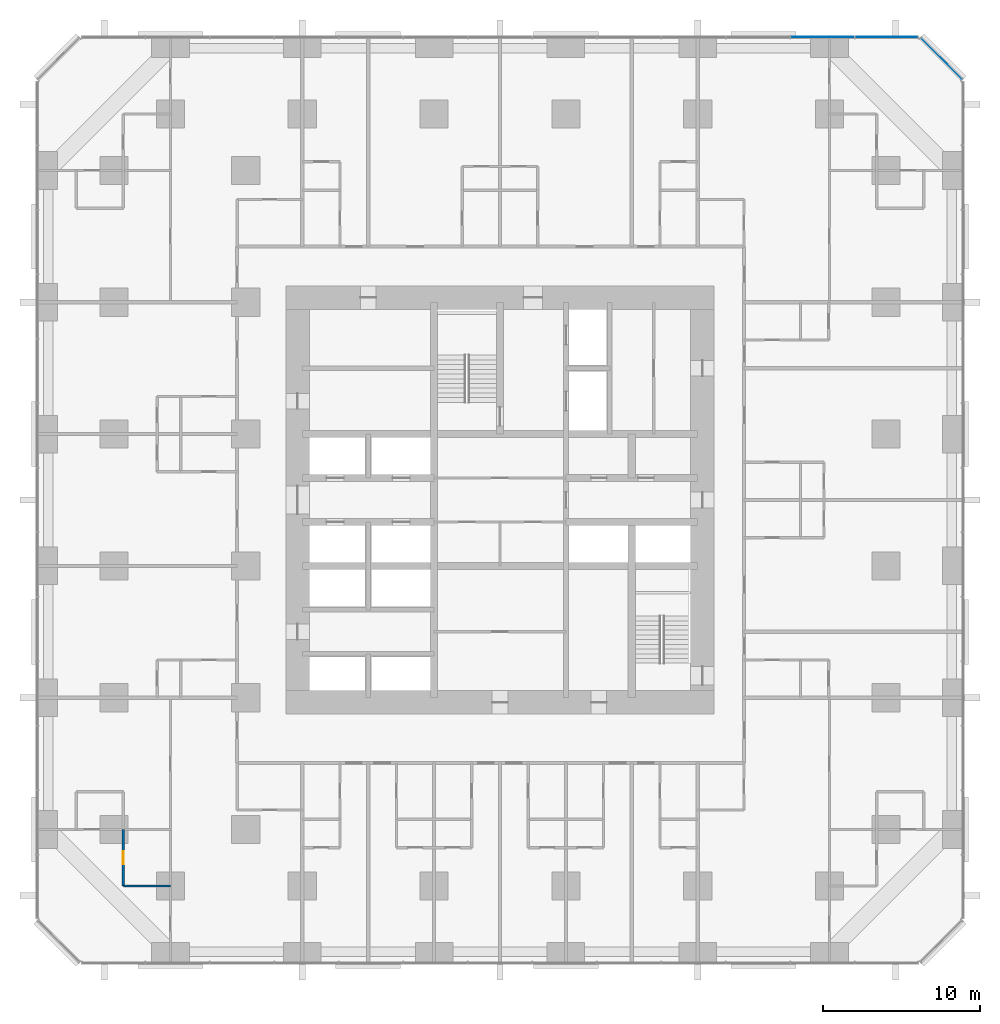
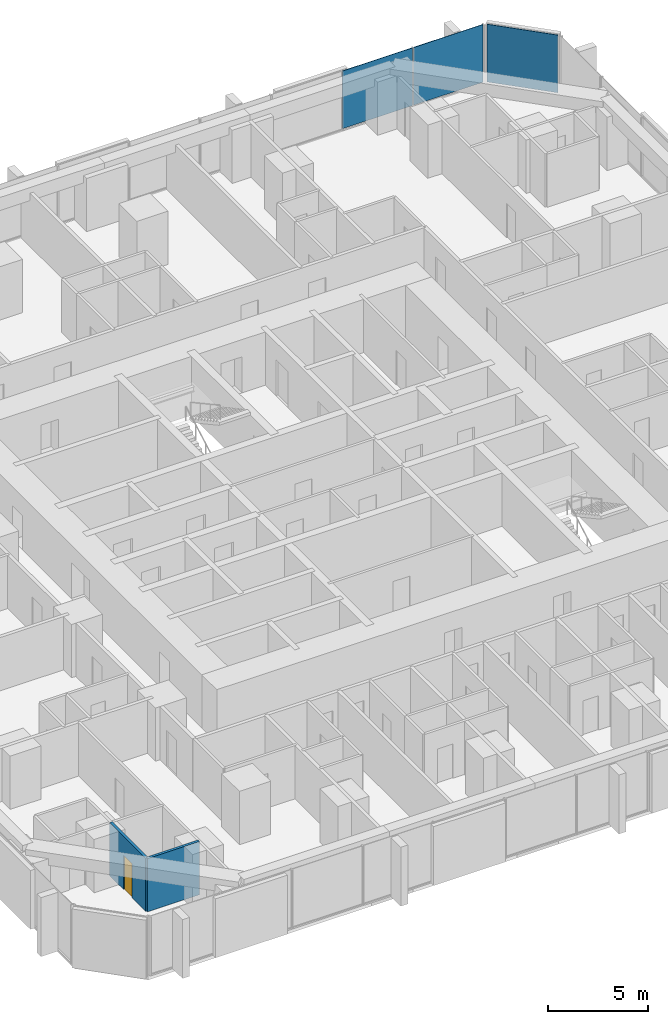
# One storey, part 10 of 17: 3 plates, 2 walls, 1 door, 1 opening, 2 elements without a shape of their own.
"""IFC4 building model written with IfcOpenShell, lengths in metres."""

import ifcopenshell
import ifcopenshell.guid

model = None  # the IFC model being written
_history = None  # IfcOwnerHistory: only IFC2X3 demands one
_inside = {}  # id of a spatial element -> (the spatial element, [elements in it])
_under = {}  # id of a project, library or spatial element -> (it, [spatial elements below it])
_declared = {}  # id of a project -> (the project, [libraries it declares])
_typed = {}  # id of a type object -> (the type object, [elements of that type])
_made_of = {}  # id of a material, layer set ... -> (it, [elements and type objects made of it])


def new_model(schema):
    """Start an empty IFC model of exactly this schema.

    Asked for "IFC4X3", IfcOpenShell would pick the latest addendum, in which some entities
    have other attributes; the version numbers below select the first issue.
    IFC2X3 requires an IfcOwnerHistory on every rooted entity: one is made here for all.
    """
    global model, _history
    if schema == "IFC4X3":
        model = ifcopenshell.file(schema_version=(4, 3, 0, 0))
    else:
        model = ifcopenshell.file(schema=schema)
    _inside.clear()
    _under.clear()
    _declared.clear()
    _typed.clear()
    _made_of.clear()
    _history = None
    if model.schema == "IFC2X3":
        org = make("IfcOrganization", Name="unknown")
        user = make(
            "IfcPersonAndOrganization",
            ThePerson=make("IfcPerson", FamilyName="unknown"),
            TheOrganization=org,
        )
        app = make(
            "IfcApplication",
            ApplicationDeveloper=org,
            Version="unknown",
            ApplicationFullName="unknown",
            ApplicationIdentifier="unknown",
        )
        _history = make(
            "IfcOwnerHistory",
            OwningUser=user,
            OwningApplication=app,
            ChangeAction="ADDED",
            CreationDate=0,
        )
    return model


def make(cls, **values):
    """One entity of the class cls with the attributes given. An attribute that is None is left unset."""
    return model.create_entity(
        cls, **{name: value for name, value in values.items() if value is not None}
    )


def rooted(cls, **values):
    """An entity with a GlobalId (a new one), such as an element, a storey or a relation."""
    return make(cls, GlobalId=ifcopenshell.guid.new(), OwnerHistory=_history, **values)


def si_unit(unit_type, name, prefix=None):
    """IfcSIUnit, for example si_unit("LENGTHUNIT", "METRE", prefix="MILLI")."""
    return make("IfcSIUnit", UnitType=unit_type, Prefix=prefix, Name=name)


def assignment(units):
    """IfcUnitAssignment: the units of a project."""
    return None if units is None else make("IfcUnitAssignment", Units=units)


def point(xyz):
    """IfcCartesianPoint."""
    return None if xyz is None else make("IfcCartesianPoint", Coordinates=xyz)


def direction(xyz):
    """IfcDirection."""
    return None if xyz is None else make("IfcDirection", DirectionRatios=xyz)


def frame(location, z_axis=None, x_axis=None):
    """IfcAxis2Placement3D, a coordinate frame: its origin and axes. An axis left out is left unset."""
    return make(
        "IfcAxis2Placement3D",
        Location=point(location),
        Axis=direction(z_axis),
        RefDirection=direction(x_axis),
    )


def frame_2d(location, x_axis=None):
    """IfcAxis2Placement2D, a coordinate frame in the plane: its origin and x axis."""
    return make(
        "IfcAxis2Placement2D", Location=point(location), RefDirection=direction(x_axis)
    )


def origin():
    """The frame at (0, 0, 0) with its axes left unset."""
    return frame((0.0, 0.0, 0.0))


def origin_2d():
    """The frame at (0, 0) in the plane with its x axis left unset."""
    return frame_2d((0.0, 0.0))


def place(relative_to, where):
    """IfcLocalPlacement: puts the frame where relative to a parent placement (None: the world)."""
    return make(
        "IfcLocalPlacement", PlacementRelTo=relative_to, RelativePlacement=where
    )


def context(
    kind, dimensions, precision=None, world=None, true_north=None, identifier=None
):
    """IfcGeometricRepresentationContext, for example the 3D "Model" context."""
    return make(
        "IfcGeometricRepresentationContext",
        ContextIdentifier=identifier,
        ContextType=kind,
        CoordinateSpaceDimension=dimensions,
        Precision=precision,
        WorldCoordinateSystem=world,
        TrueNorth=true_north,
    )


def subcontext(parent, identifier, kind, view, scale=None):
    """IfcGeometricRepresentationSubContext, for example "Body" below "Model"."""
    return make(
        "IfcGeometricRepresentationSubContext",
        ContextIdentifier=identifier,
        ContextType=kind,
        ParentContext=parent,
        TargetScale=scale,
        TargetView=view,
    )


def project(units=None, contexts=None):
    """IfcProject with its units and contexts."""
    return rooted(
        "IfcProject",
        Name="project",
        RepresentationContexts=contexts,
        UnitsInContext=assignment(units),
    )


def spatial(cls, under=None, at=None, **own):
    """A site, building, storey or space (cls), placed at a placement, below another one or the project."""
    s = rooted(cls, ObjectPlacement=at, **own)
    if under is not None:
        _under.setdefault(under.id(), (under, []))[1].append(s)
    return s


def profile(cls, at=None, kind="AREA", **sizes):
    """A parametric profile (cls). Its sizes go by their IFC names, for example OverallWidth=200.0."""
    return make(cls, ProfileType=kind, Position=at, **sizes)


def rectangle(**sizes):
    """IfcRectangleProfileDef."""
    return profile("IfcRectangleProfileDef", **sizes)


def extrude(swept, where, along, depth):
    """IfcExtrudedAreaSolid: the profile swept, set in the frame where, extruded along a direction by depth."""
    return make(
        "IfcExtrudedAreaSolid",
        SweptArea=swept,
        Position=where,
        ExtrudedDirection=direction(along),
        Depth=depth,
    )


def shape(context_of_items, identifier, shape_type, items):
    """IfcShapeRepresentation: the items that make up one representation, for example the "Body"."""
    return make(
        "IfcShapeRepresentation",
        ContextOfItems=context_of_items,
        RepresentationIdentifier=identifier,
        RepresentationType=shape_type,
        Items=items,
    )


def material(Name=None, Category=None):
    """IfcMaterial."""
    return make("IfcMaterial", Name=Name, Category=Category)


def layer(
    of_material, thickness, ventilated=None, Name=None, Category=None, Priority=None
):
    """IfcMaterialLayer: one layer of a wall or slab, of a material (None: an air gap)."""
    return make(
        "IfcMaterialLayer",
        Material=of_material,
        LayerThickness=thickness,
        IsVentilated=ventilated,
        Name=Name,
        Category=Category,
        Priority=Priority,
    )


def layer_set(layers, Name=None):
    """IfcMaterialLayerSet."""
    return make("IfcMaterialLayerSet", MaterialLayers=layers, LayerSetName=Name)


def made_of(thing, what):
    """Note that an element or type object is made of a material, layer set ...; save() writes the relation."""
    if what is not None:
        _made_of.setdefault(what.id(), (what, []))[1].append(thing)
    return thing


def type_object(cls, material=None, **own):
    """A type object (cls), such as IfcWallType, which elements share."""
    return made_of(rooted(cls, **own), material)


def element(
    cls,
    number,
    at=None,
    inside=None,
    cuts=None,
    type_object=None,
    material=None,
    context=None,
    identifier="Body",
    shape_type=None,
    held_by="IfcProductDefinitionShape",
    body=None,
    shapes=None,
    **own,
):
    """One element of the class cls, such as IfcWall. Its Tag is "e" and its number.

    at: its placement. inside: the storey or other place that contains it. cuts: it is an
    opening in that element (IfcRelVoidsElement). A single representation is given by context,
    identifier, shape_type and body (its items); several are given by shapes. held_by: the class
    of the entity that holds the representations. save() writes the other relations.
    """
    e = rooted(cls, Tag="e%d" % number, ObjectPlacement=at, **own)
    if body is not None:
        shapes = [shape(context, identifier, shape_type, body)]
    if shapes is not None:
        e.Representation = make(held_by, Representations=shapes)
    if inside is not None:
        _inside.setdefault(inside.id(), (inside, []))[1].append(e)
    if cuts is not None:
        rooted(
            "IfcRelVoidsElement", RelatingBuildingElement=cuts, RelatedOpeningElement=e
        )
    if type_object is not None:
        _typed.setdefault(type_object.id(), (type_object, []))[1].append(e)
    return made_of(e, material)


def fill(opening, filler):
    """IfcRelFillsElement: the door or window that sits in an opening."""
    return rooted(
        "IfcRelFillsElement",
        RelatingOpeningElement=opening,
        RelatedBuildingElement=filler,
    )


def aggregate(whole, parts):
    """IfcRelAggregates: a whole, such as a stair, and the parts it consists of."""
    return rooted("IfcRelAggregates", RelatingObject=whole, RelatedObjects=parts)


def save(model, path):
    """Write the relations noted so far, then the file.

    IfcRelAggregates (storeys below a building ...), IfcRelContainedInSpatialStructure (elements
    in a storey), IfcRelDefinesByType, IfcRelAssociatesMaterial and IfcRelDeclares: one each for
    every whole, place, type object, material and project.
    """
    for whole, parts in _under.values():
        aggregate(whole, parts)
    for where, things in _inside.values():
        rooted(
            "IfcRelContainedInSpatialStructure",
            RelatedElements=things,
            RelatingStructure=where,
        )
    for kind, things in _typed.values():
        rooted("IfcRelDefinesByType", RelatedObjects=things, RelatingType=kind)
    for what, things in _made_of.values():
        rooted("IfcRelAssociatesMaterial", RelatedObjects=things, RelatingMaterial=what)
    for by, libraries in _declared.values():
        rooted("IfcRelDeclares", RelatingContext=by, RelatedDefinitions=libraries)
    model.write(path)


model = new_model("IFC4")

# Units and contexts
model_context = context("Model", 3, precision=1e-05, world=origin(), true_north=direction((0.0, 1.0)))
body_context = subcontext(model_context, "Body", "Model", "MODEL_VIEW")
ifc_project = project(units=[si_unit("LENGTHUNIT", "METRE"), si_unit("AREAUNIT", "SQUARE_METRE"), si_unit("VOLUMEUNIT", "CUBIC_METRE"), si_unit("PLANEANGLEUNIT", "RADIAN"), si_unit("MASSUNIT", "GRAM", prefix="KILO")], contexts=[model_context])

# Site, building, storey
site_placement = place(None, origin())
site = spatial("IfcSite", under=ifc_project, at=site_placement, CompositionType="ELEMENT")
building_placement = place(site_placement, origin())
building = spatial("IfcBuilding", under=site, at=building_placement, Name="Dunama Terrace Hotel", CompositionType="ELEMENT")
storey_placement = place(building_placement, frame((0.0, 0.0, 73.800048828125)))
storey = spatial("IfcBuildingStorey", under=building, at=storey_placement, Name="L18", CompositionType="ELEMENT", Elevation=73.800048828125)

# Curtain wall, plates
ifc_material_1 = material(Name="Aluminium curtain wall system", Category="aluminium")
curtain_wall_type = type_object("IfcCurtainWallType", Name="Unitised fritted glass wall CW-A", PredefinedType="NOTDEFINED", material=ifc_material_1)
curtain_wall_1_placement = place(storey_placement, origin())
curtain_wall_1 = element("IfcCurtainWall", 1, at=curtain_wall_1_placement, inside=storey, type_object=curtain_wall_type, Name="Unitised fritted glass wall CW-A L18", PredefinedType="NOTDEFINED")
ifc_material_2 = material(Name="Laminated glass", Category="glass")
ifc_layer_1 = layer(ifc_material_2, 0.030029296875)
ifc_layer_set_1 = layer_set([ifc_layer_1], Name="CWA clear glass panel")
plate_type_1 = type_object("IfcPlateType", Name="CWA clear glass panel", PredefinedType="CURTAIN_PANEL", material=ifc_layer_set_1)
plate_1_placement = place(storey_placement, frame((49.93798828125, 58.89990234375, 0.074951171875), z_axis=(0.0, 0.0, 1.0), x_axis=(-1.0, 0.0, 0.0)))
plate_1 = element("IfcPlate", 2, at=plate_1_placement, type_object=plate_type_1, Name="CWA clear glass panel", PredefinedType="CURTAIN_PANEL", context=body_context, shape_type="SweptSolid", body=[
    extrude(rectangle(XDim=4.042724609375, YDim=0.030029296875, at=origin_2d()), origin(), (0.0, 0.0, 1.0), 3.52490234375),
])
ifc_material_3 = material(Name="Fritted laminated glass", Category="glass")
ifc_layer_2 = layer(ifc_material_3, 0.030029296875)
ifc_layer_set_2 = layer_set([ifc_layer_2], Name="CWA fritted glass panel")
plate_type_2 = type_object("IfcPlateType", Name="CWA fritted glass panel", PredefinedType="CURTAIN_PANEL", material=ifc_layer_set_2)
plate_2_placement = place(storey_placement, frame((54.030029296875, 58.89990234375, 0.074951171875), z_axis=(0.0, 0.0, 1.0), x_axis=(-1.0, 0.0, 0.0)))
plate_2 = element("IfcPlate", 3, at=plate_2_placement, type_object=plate_type_2, Name="CWA fritted glass panel", PredefinedType="CURTAIN_PANEL", context=body_context, shape_type="SweptSolid", body=[
    extrude(rectangle(XDim=4.01025390625, YDim=0.030029296875, at=origin_2d()), origin(), (0.0, 0.0, 1.0), 3.52490234375),
])
aggregate(curtain_wall_1, [plate_2, plate_1])

# Curtain wall, plate
curtain_wall_2_placement = place(storey_placement, origin())
curtain_wall_2 = element("IfcCurtainWall", 4, at=curtain_wall_2_placement, inside=storey, type_object=curtain_wall_type, Name="Unitised fritted glass wall CW-A L18", PredefinedType="NOTDEFINED")
ifc_material_4 = material(Name="Laminated glass", Category="glass")
ifc_layer_3 = layer(ifc_material_4, 0.030029296875)
ifc_layer_set_3 = layer_set([ifc_layer_3], Name="CWA operable glass panel")
plate_type_3 = type_object("IfcPlateType", Name="CWA operable glass panel", PredefinedType="CURTAIN_PANEL", material=ifc_layer_set_3)
plate_3_placement = place(storey_placement, frame((57.52099609375, 57.52099609375, 0.074951171875), z_axis=(0.0, 0.0, 1.0), x_axis=(-0.707106781187, 0.707106781187, 0.0)))
plate_3 = element("IfcPlate", 5, at=plate_3_placement, type_object=plate_type_3, Name="CWA operable glass panel", PredefinedType="CURTAIN_PANEL", context=body_context, shape_type="SweptSolid", body=[
    extrude(rectangle(XDim=3.6884765625, YDim=0.030029296875, at=origin_2d()), origin(), (0.0, 0.0, 1.0), 3.52490234375),
])
aggregate(curtain_wall_2, [plate_3])

# Wall, opening, door
ifc_material_5 = material(Name="Gypsum board partition", Category="masonry")
ifc_layer_4 = layer(ifc_material_5, 0.14990234375)
ifc_layer_set_4 = layer_set([ifc_layer_4], Name="Bathroom partition 150")
wall_type = type_object("IfcWallType", Name="Bathroom partition 150", PredefinedType="PARTITIONING", material=ifc_layer_set_4)
wall_1_placement = place(storey_placement, frame((5.39990234375, 4.800048828125, 0.0), z_axis=(0.0, 0.0, 1.0), x_axis=(0.0, 1.0, 0.0)))
wall_1 = element("IfcWall", 6, at=wall_1_placement, inside=storey, type_object=wall_type, Name="Bathroom partition 150 L18", PredefinedType="PARTITIONING", context=body_context, shape_type="SweptSolid", body=[
    extrude(rectangle(XDim=3.599853515625, YDim=0.14990234375, at=frame_2d((1.7998046875, 0.0))), origin(), (0.0, 0.0, 1.0), 3.25),
])
opening_placement = place(wall_1_placement, frame((1.375, 0.0, 0.0)))
opening = element("IfcOpeningElement", 7, at=opening_placement, cuts=wall_1, Name="Opening L17-19-063", PredefinedType="OPENING", context=body_context, shape_type="SweptSolid", body=[
    extrude(rectangle(XDim=0.85009765625, YDim=2.10009765625, at=frame_2d((0.425048828125, 1.050048828125))), frame((0.0, 0.0849609375, 0.0), z_axis=(0.0, -1.0, 0.0), x_axis=(1.0, 0.0, 0.0)), (0.0, 0.0, 1.0), 0.169921875),
])
ifc_material_6 = material(Name="Timber door with steel frame", Category="steel")
door_type = type_object("IfcDoorType", Name="Bathroom door 850", OperationType="SINGLE_SWING_LEFT", PredefinedType="DOOR", material=ifc_material_6)
door_placement = place(opening_placement, frame((0.85009765625, 0.0, 0.0), z_axis=(0.0, 0.0, 1.0), x_axis=(-1.0, 0.0, 0.0)))
door = element("IfcDoor", 8, at=door_placement, inside=storey, type_object=door_type, Name="Door to en-suite bathroom L17-19-063, type D2", OperationType="SINGLE_SWING_LEFT", OverallHeight=2.10009765625, OverallWidth=0.85009765625, PredefinedType="DOOR", context=body_context, shape_type="SweptSolid", body=[
    extrude(rectangle(XDim=0.85009765625, YDim=2.10009765625, at=frame_2d((0.425048828125, 1.050048828125))), frame((0.0, 0.025146484375, 0.0), z_axis=(0.0, -1.0, 0.0), x_axis=(1.0, 0.0, 0.0)), (0.0, 0.0, 1.0), 0.050048828125),
])
fill(opening, door)

# Wall
wall_2_placement = place(storey_placement, frame((5.39990234375, 4.800048828125, 0.0), z_axis=(0.0, 0.0, 1.0), x_axis=(1.0, 0.0, 0.0)))
element("IfcWall", 9, at=wall_2_placement, inside=storey, type_object=wall_type, Name="Bathroom partition 150 L18", PredefinedType="PARTITIONING", context=body_context, shape_type="SweptSolid", body=[
    extrude(rectangle(XDim=3.0, YDim=0.14990234375, at=frame_2d((1.5, 0.0))), origin(), (0.0, 0.0, 1.0), 3.25),
])

save(model, "model.ifc")
